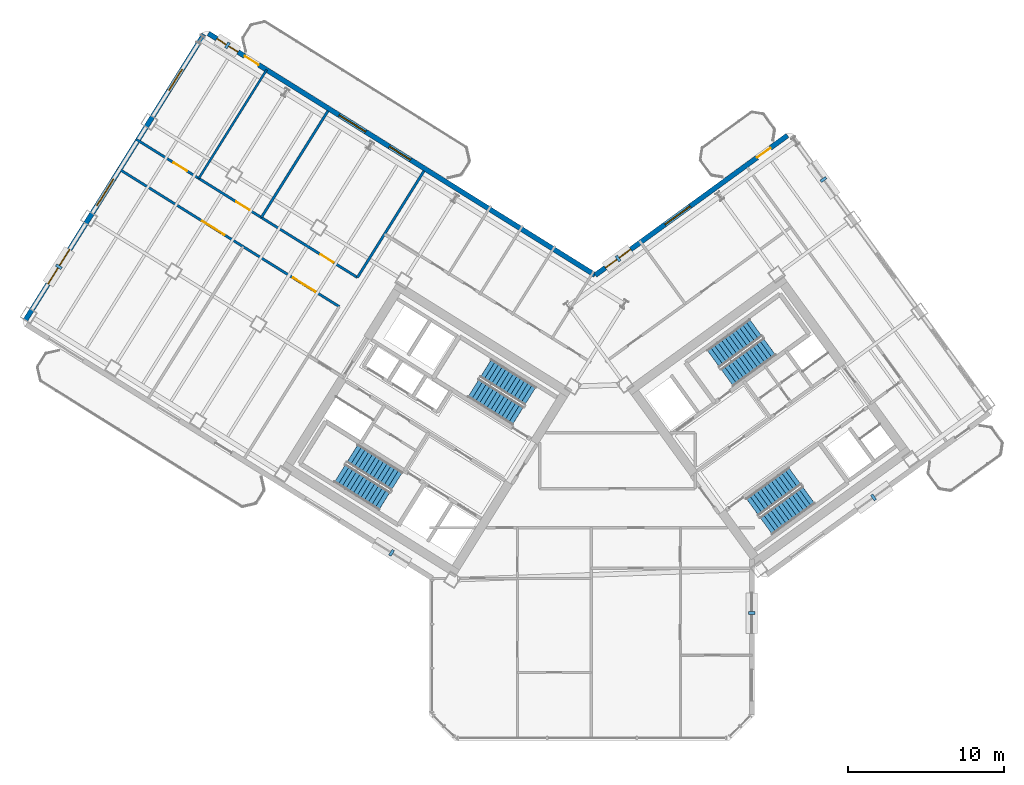
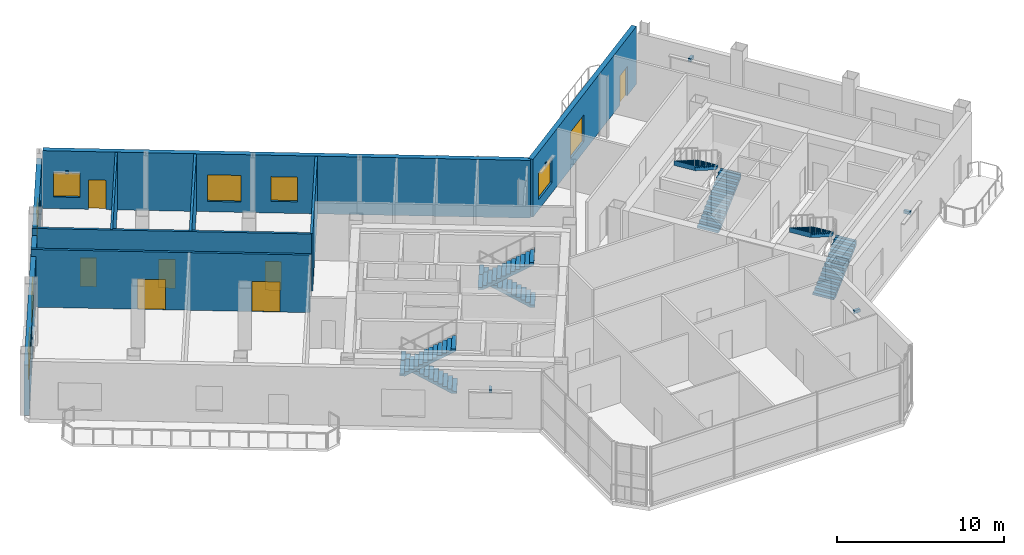
# One storey, part 15 of 20: 8 stair flights, 8 walls, 8 windows, 7 discrete accessories, 7 doors, 15 openings, 4 elements without a shape of their own.
"""IFC4 building model written with IfcOpenShell, lengths in metres."""

from ifc_helpers import new_model, si_unit, direction, frame, frame_2d, origin, origin_2d, place, context, subcontext, project, spatial, polyline, rectangle, outline, extrude, source, transform, mapped, material, layer, layer_set, type_object, element, fill, aggregate, save


model = new_model("IFC4")

# Units and contexts
model_context = context("Model", 3, precision=1e-05, world=origin(), true_north=direction((0.0, 1.0)))
body_context = subcontext(model_context, "Body", "Model", "MODEL_VIEW")
ifc_project = project(units=[si_unit("LENGTHUNIT", "METRE"), si_unit("AREAUNIT", "SQUARE_METRE"), si_unit("VOLUMEUNIT", "CUBIC_METRE"), si_unit("PLANEANGLEUNIT", "RADIAN"), si_unit("MASSUNIT", "GRAM", prefix="KILO")], contexts=[model_context])

# Site, building, storey
site_placement = place(None, origin())
site = spatial("IfcSite", under=ifc_project, at=site_placement, CompositionType="ELEMENT")
building_placement = place(site_placement, origin())
building = spatial("IfcBuilding", under=site, at=building_placement, Name="Tlacorven Tower", CompositionType="ELEMENT")
storey_placement = place(building_placement, frame((0.0, 0.0, 195.0)))
storey = spatial("IfcBuildingStorey", under=building, at=storey_placement, Name="L49", CompositionType="ELEMENT", Elevation=195.0)

# Wall
ifc_material_1 = material(Name="Gypsum plasterboard acoustic partition", Category="gypsum")
ifc_layer_1 = layer(ifc_material_1, 0.159912109375)
ifc_layer_set_1 = layer_set([ifc_layer_1], Name="Gypsum plasterboard acoustic partition")
wall_type_1 = type_object("IfcWallType", Name="WL-DEM-160", PredefinedType="PARTITIONING", material=ifc_layer_set_1)
wall_1_placement = place(storey_placement, frame((31.238525390625, 38.27392578125, 0.0), z_axis=(0.0, 0.0, 1.0), x_axis=(-0.529928058306, -0.848042600947, 0.0)))
element("IfcWall", 1, at=wall_1_placement, inside=storey, type_object=wall_type_1, Name="L49 partition 48", PredefinedType="PARTITIONING", context=body_context, shape_type="SweptSolid", body=[
    extrude(rectangle(XDim=8.0498046875, YDim=0.159912109375, at=frame_2d((4.02490234375, 0.0))), origin(), (0.0, 0.0, 1.0), 4.2099609375),
])

# Wall, openings, doors
wall_2_placement = place(storey_placement, frame((26.97265625, 31.447265625, 0.0), z_axis=(0.0, 0.0, 1.0), x_axis=(-0.848048310262, 0.529918921593, 0.0)))
wall_2 = element("IfcWall", 2, at=wall_2_placement, inside=storey, type_object=wall_type_1, Name="L49 Wing W Corridor South Wall", PredefinedType="PARTITIONING", context=body_context, shape_type="SweptSolid", body=[
    extrude(rectangle(XDim=16.72998046875, YDim=0.159912109375, at=frame_2d((8.364990234375, 0.0))), origin(), (0.0, 0.0, 1.0), 4.2099609375),
])
opening_1_placement = place(wall_2_placement, frame((1.800048828125, 0.0, 0.0)))
opening_1 = element("IfcOpeningElement", 3, at=opening_1_placement, cuts=wall_2, Name="Opening D11", PredefinedType="OPENING", context=body_context, shape_type="SweptSolid", body=[
    extrude(rectangle(XDim=1.0, YDim=2.10009765625, at=frame_2d((0.5, 1.050048828125))), frame((0.0, 0.08984375, 0.0), z_axis=(0.0, -1.0, 0.0), x_axis=(1.0, 0.0, 0.0)), (0.0, 0.0, 1.0), 0.179931640625),
])
opening_2_placement = place(wall_2_placement, frame((8.155029296875, 0.0, 0.0)))
opening_2 = element("IfcOpeningElement", 4, at=opening_2_placement, cuts=wall_2, Name="Opening D11", PredefinedType="OPENING", context=body_context, shape_type="SweptSolid", body=[
    extrude(rectangle(XDim=1.0, YDim=2.10009765625, at=frame_2d((0.5, 1.050048828125))), frame((0.0, 0.08984375, 0.0), z_axis=(0.0, -1.0, 0.0), x_axis=(1.0, 0.0, 0.0)), (0.0, 0.0, 1.0), 0.179931640625),
])
opening_3_placement = place(wall_2_placement, frame((12.882080078125, 0.0, 0.0)))
opening_3 = element("IfcOpeningElement", 5, at=opening_3_placement, cuts=wall_2, Name="Opening D11", PredefinedType="OPENING", context=body_context, shape_type="SweptSolid", body=[
    extrude(rectangle(XDim=1.0, YDim=2.10009765625, at=frame_2d((0.5, 1.050048828125))), frame((0.0, 0.08984375, 0.0), z_axis=(0.0, -1.0, 0.0), x_axis=(1.0, 0.0, 0.0)), (0.0, 0.0, 1.0), 0.179931640625),
])
ifc_material_2 = material(Name="Fire-rated steel door assembly", Category="steel")
door_type_1 = type_object("IfcDoorType", Name="DR-FLT-FD60-1000", OperationType="NOTDEFINED", PredefinedType="DOOR", material=ifc_material_2)
shared_shape_1 = source(origin(), body_context, "Body", "SweptSolid", [
    extrude(rectangle(XDim=1.0, YDim=2.10009765625, at=frame_2d((0.5, 1.050048828125))), frame((0.0, 0.02490234375, 0.0), z_axis=(0.0, -1.0, 0.0), x_axis=(1.0, 0.0, 0.0)), (0.0, 0.0, 1.0), 0.050048828125),
])
door_1_placement = place(opening_1_placement, frame((1.0, 0.0, 0.0), z_axis=(0.0, 0.0, 1.0), x_axis=(-1.0, 0.0, 0.0)))
door_1 = element("IfcDoor", 6, at=door_1_placement, inside=storey, type_object=door_type_1, Name="L49 door 027", OperationType="SINGLE_SWING_LEFT", OverallHeight=2.10009765625, OverallWidth=1.0, PredefinedType="DOOR", context=body_context, shape_type="MappedRepresentation", body=[
    mapped(shared_shape_1, transform((0.0, 0.0, 0.0), scale=1.0)),
])
fill(opening_1, door_1)
door_2_placement = place(opening_2_placement, frame((1.0, 0.0, 0.0), z_axis=(0.0, 0.0, 1.0), x_axis=(-1.0, 0.0, 0.0)))
door_2 = element("IfcDoor", 7, at=door_2_placement, inside=storey, type_object=door_type_1, Name="L49 door 028", OperationType="SINGLE_SWING_RIGHT", OverallHeight=2.10009765625, OverallWidth=1.0, PredefinedType="DOOR", context=body_context, shape_type="MappedRepresentation", body=[
    mapped(shared_shape_1, transform((0.0, 0.0, 0.0), scale=1.0)),
])
fill(opening_2, door_2)
door_3_placement = place(opening_3_placement, frame((1.0, 0.0, 0.0), z_axis=(0.0, 0.0, 1.0), x_axis=(-1.0, 0.0, 0.0)))
door_3 = element("IfcDoor", 8, at=door_3_placement, inside=storey, type_object=door_type_1, Name="L49 door 029", OperationType="SINGLE_SWING_LEFT", OverallHeight=2.10009765625, OverallWidth=1.0, PredefinedType="DOOR", context=body_context, shape_type="MappedRepresentation", body=[
    mapped(shared_shape_1, transform((0.0, 0.0, 0.0), scale=1.0)),
])
fill(opening_3, door_3)

wall_3_placement = place(storey_placement, frame((25.806884765625, 29.58154296875, 0.0), z_axis=(0.0, 0.0, 1.0), x_axis=(-0.848052408131, 0.529912363569, 0.0)))
wall_3 = element("IfcWall", 9, at=wall_3_placement, inside=storey, type_object=wall_type_1, Name="L49 Wing W Corridor North Wall", PredefinedType="PARTITIONING", context=body_context, shape_type="SweptSolid", body=[
    extrude(rectangle(XDim=16.72998046875, YDim=0.159912109375, at=frame_2d((8.364990234375, 0.0))), origin(), (0.0, 0.0, 1.0), 4.2099609375),
])
opening_4_placement = place(wall_3_placement, frame((1.800048828125, 0.0, 0.0)))
opening_4 = element("IfcOpeningElement", 10, at=opening_4_placement, cuts=wall_3, Name="Opening D17", PredefinedType="OPENING", context=body_context, shape_type="SweptSolid", body=[
    extrude(rectangle(XDim=1.699951171875, YDim=2.199951171875, at=frame_2d((0.85009765625, 1.10009765625))), frame((0.0, 0.08984375, 0.0), z_axis=(0.0, -1.0, 0.0), x_axis=(1.0, 0.0, 0.0)), (0.0, 0.0, 1.0), 0.179931640625),
])
opening_5_placement = place(wall_3_placement, frame((8.655029296875, 0.0, 0.0)))
opening_5 = element("IfcOpeningElement", 11, at=opening_5_placement, cuts=wall_3, Name="Opening D17", PredefinedType="OPENING", context=body_context, shape_type="SweptSolid", body=[
    extrude(rectangle(XDim=1.699951171875, YDim=2.199951171875, at=frame_2d((0.85009765625, 1.10009765625))), frame((0.0, 0.08984375, 0.0), z_axis=(0.0, -1.0, 0.0), x_axis=(1.0, 0.0, 0.0)), (0.0, 0.0, 1.0), 0.179931640625),
])
door_type_2 = type_object("IfcDoorType", Name="DR-COM-HALL-1700", OperationType="DOUBLE_DOOR_SINGLE_SWING", PredefinedType="DOOR", material=ifc_material_2)
shared_shape_2 = source(origin(), body_context, "Body", "SweptSolid", [
    extrude(rectangle(XDim=1.699951171875, YDim=2.199951171875, at=frame_2d((0.85009765625, 1.10009765625))), frame((0.0, 0.02490234375, 0.0), z_axis=(0.0, -1.0, 0.0), x_axis=(1.0, 0.0, 0.0)), (0.0, 0.0, 1.0), 0.050048828125),
])
door_4_placement = place(opening_4_placement, origin())
door_4 = element("IfcDoor", 12, at=door_4_placement, inside=storey, type_object=door_type_2, Name="L49 door 025", OperationType="DOUBLE_DOOR_SINGLE_SWING", OverallHeight=2.199951171875, OverallWidth=1.699951171875, PredefinedType="DOOR", context=body_context, shape_type="MappedRepresentation", body=[
    mapped(shared_shape_2, transform((0.0, 0.0, 0.0), scale=1.0)),
])
fill(opening_4, door_4)
door_5_placement = place(opening_5_placement, origin())
door_5 = element("IfcDoor", 13, at=door_5_placement, inside=storey, type_object=door_type_2, Name="L49 door 026", OperationType="DOUBLE_DOOR_SINGLE_SWING", OverallHeight=2.199951171875, OverallWidth=1.699951171875, PredefinedType="DOOR", context=body_context, shape_type="MappedRepresentation", body=[
    mapped(shared_shape_2, transform((0.0, 0.0, 0.0), scale=1.0)),
])
fill(opening_5, door_5)

# Wall
wall_4_placement = place(storey_placement, frame((25.0859375, 42.118408203125, 0.0), z_axis=(0.0, 0.0, 1.0), x_axis=(-0.529928058306, -0.848042600947, 0.0)))
element("IfcWall", 14, at=wall_4_placement, inside=storey, type_object=wall_type_1, Name="L49 partition 54", PredefinedType="PARTITIONING", context=body_context, shape_type="SweptSolid", body=[
    extrude(rectangle(XDim=8.0498046875, YDim=0.159912109375, at=frame_2d((4.02490234375, 0.0))), origin(), (0.0, 0.0, 1.0), 4.2099609375),
])

# Wall, openings, windows
ifc_material_3 = material(Name="Precast concrete C45/55", Category="concrete")
ifc_layer_2 = layer(ifc_material_3, 0.320068359375)
ifc_layer_set_2 = layer_set([ifc_layer_2], Name="Precast concrete C45/55")
wall_type_2 = type_object("IfcWallType", Name="WL-EXT-320", PredefinedType="STANDARD", material=ifc_layer_set_2)
wall_5_placement = place(storey_placement, frame((5.699951171875, 28.71044921875, 0.0), z_axis=(0.0, 0.0, 1.0), x_axis=(0.529923711467, 0.8480453172, 0.0)))
wall_5 = element("IfcWall", 15, at=wall_5_placement, inside=storey, type_object=wall_type_2, Name="L49 Masonry-Frame Recessed Facade Wall 2", PredefinedType="STANDARD", context=body_context, shape_type="SweptSolid", body=[
    extrude(rectangle(XDim=21.58740234375, YDim=0.320068359375, at=frame_2d((10.793701171875, 0.0))), origin(), (0.0, 0.0, 1.0), 3.695068359375),
])
opening_6_placement = place(wall_5_placement, frame((2.74365234375, 0.0, 0.699951171875)))
opening_6 = element("IfcOpeningElement", 16, at=opening_6_placement, cuts=wall_5, Name="Opening WN10", PredefinedType="OPENING", context=body_context, shape_type="SweptSolid", body=[
    extrude(rectangle(XDim=2.60009765625, YDim=2.0, at=frame_2d((1.300048828125, 1.0))), frame((0.0, 0.169921875, 0.0), z_axis=(0.0, -1.0, 0.0), x_axis=(1.0, 0.0, 0.0)), (0.0, 0.0, 1.0), 0.340087890625),
])
opening_7_placement = place(wall_5_placement, frame((8.65380859375, 0.0, 0.75)))
opening_7 = element("IfcOpeningElement", 17, at=opening_7_placement, cuts=wall_5, Name="Opening WN11", PredefinedType="OPENING", context=body_context, shape_type="SweptSolid", body=[
    extrude(rectangle(XDim=2.0, YDim=1.949951171875, at=frame_2d((1.0, 0.97509765625))), frame((0.0, 0.169921875, 0.0), z_axis=(0.0, -1.0, 0.0), x_axis=(1.0, 0.0, 0.0)), (0.0, 0.0, 1.0), 0.340087890625),
])
opening_8_placement = place(wall_5_placement, frame((17.356201171875, 0.0, 0.85009765625)))
opening_8 = element("IfcOpeningElement", 18, at=opening_8_placement, cuts=wall_5, Name="Opening WN12", PredefinedType="OPENING", context=body_context, shape_type="SweptSolid", body=[
    extrude(rectangle(XDim=1.60009765625, YDim=1.800048828125, at=frame_2d((0.800048828125, 0.89990234375))), frame((0.0, 0.169921875, 0.0), z_axis=(0.0, -1.0, 0.0), x_axis=(1.0, 0.0, 0.0)), (0.0, 0.0, 1.0), 0.340087890625),
])
ifc_material_4 = material(Name="Dark solar low-E double glazing in anodised aluminium frame", Category="aluminium")
window_type_1 = type_object("IfcWindowType", Name="WN-COM-2600X2200", PartitioningType="SINGLE_PANEL", PredefinedType="WINDOW", material=ifc_material_4)
shared_shape_3 = source(origin(), body_context, "Body", "SweptSolid", [
    extrude(rectangle(XDim=2.60009765625, YDim=2.0, at=frame_2d((1.300048828125, 1.0))), frame((0.0, 0.030029296875, 0.0), z_axis=(0.0, -1.0, 0.0), x_axis=(1.0, 0.0, 0.0)), (0.0, 0.0, 1.0), 0.06005859375),
])
window_1_placement = place(opening_6_placement, origin())
window_1 = element("IfcWindow", 19, at=window_1_placement, inside=storey, type_object=window_type_1, Name="L49 Recessed Masonry-Frame Window L49-02.1", OverallHeight=2.0, OverallWidth=2.60009765625, PartitioningType="SINGLE_PANEL", PredefinedType="WINDOW", context=body_context, shape_type="MappedRepresentation", body=[
    mapped(shared_shape_3, transform((0.0, 0.0, 0.0), scale=1.0)),
])
fill(opening_6, window_1)
window_type_2 = type_object("IfcWindowType", Name="WN-COM-1600X1900", PartitioningType="SINGLE_PANEL", PredefinedType="WINDOW", material=ifc_material_4)
shared_shape_4 = source(origin(), body_context, "Body", "SweptSolid", [
    extrude(rectangle(XDim=1.60009765625, YDim=1.800048828125, at=frame_2d((0.800048828125, 0.89990234375))), frame((0.0, 0.030029296875, 0.0), z_axis=(0.0, -1.0, 0.0), x_axis=(1.0, 0.0, 0.0)), (0.0, 0.0, 1.0), 0.06005859375),
])
window_2_placement = place(opening_8_placement, origin())
window_2 = element("IfcWindow", 20, at=window_2_placement, inside=storey, type_object=window_type_2, Name="L49 Recessed Masonry-Frame Window L49-02.3", OverallHeight=1.800048828125, OverallWidth=1.60009765625, PartitioningType="SINGLE_PANEL", PredefinedType="WINDOW", context=body_context, shape_type="MappedRepresentation", body=[
    mapped(shared_shape_4, transform((0.0, 0.0, 0.0), scale=1.0)),
])
fill(opening_8, window_2)
window_type_3 = type_object("IfcWindowType", Name="WN-COM-2000X2100", PartitioningType="SINGLE_PANEL", PredefinedType="WINDOW", material=ifc_material_4)
shared_shape_5 = source(origin(), body_context, "Body", "SweptSolid", [
    extrude(rectangle(XDim=2.0, YDim=1.949951171875, at=frame_2d((1.0, 0.97509765625))), frame((0.0, 0.030029296875, 0.0), z_axis=(0.0, -1.0, 0.0), x_axis=(1.0, 0.0, 0.0)), (0.0, 0.0, 1.0), 0.06005859375),
])
window_3_placement = place(opening_7_placement, origin())
window_3 = element("IfcWindow", 21, at=window_3_placement, inside=storey, type_object=window_type_3, Name="L49 Recessed Masonry-Frame Window L49-02.2", OverallHeight=1.949951171875, OverallWidth=2.0, PartitioningType="SINGLE_PANEL", PredefinedType="WINDOW", context=body_context, shape_type="MappedRepresentation", body=[
    mapped(shared_shape_5, transform((0.0, 0.0, 0.0), scale=1.0)),
])
fill(opening_7, window_3)

# Wall, openings, door, windows
wall_6_placement = place(storey_placement, frame((17.423828125, 47.083251953125, 0.0), z_axis=(0.0, 0.0, 1.0), x_axis=(0.848049927979, -0.529916332693, 0.0)))
wall_6 = element("IfcWall", 22, at=wall_6_placement, inside=storey, type_object=wall_type_2, Name="L49 Masonry-Frame Recessed Facade Wall 3", PredefinedType="STANDARD", context=body_context, shape_type="SweptSolid", body=[
    extrude(rectangle(XDim=29.22314453125, YDim=0.320068359375, at=frame_2d((14.611572265625, 0.0))), origin(), (0.0, 0.0, 1.0), 4.219970703125),
])
opening_9_placement = place(wall_6_placement, frame((2.751708984375, 0.0, 0.0)))
opening_9 = element("IfcOpeningElement", 23, at=opening_9_placement, cuts=wall_6, Name="Opening D06", PredefinedType="OPENING", context=body_context, shape_type="SweptSolid", body=[
    extrude(rectangle(XDim=1.050048828125, YDim=2.14990234375, at=frame_2d((0.52490234375, 1.074951171875))), frame((0.0, 0.169921875, 0.0), z_axis=(0.0, -1.0, 0.0), x_axis=(1.0, 0.0, 0.0)), (0.0, 0.0, 1.0), 0.340087890625),
])
opening_10_placement = place(wall_6_placement, frame((0.640869140625, 0.0, 0.85009765625)))
opening_10 = element("IfcOpeningElement", 24, at=opening_10_placement, cuts=wall_6, Name="Opening WN12", PredefinedType="OPENING", context=body_context, shape_type="SweptSolid", body=[
    extrude(rectangle(XDim=1.60009765625, YDim=1.800048828125, at=frame_2d((0.800048828125, 0.89990234375))), frame((0.0, 0.169921875, 0.0), z_axis=(0.0, -1.0, 0.0), x_axis=(1.0, 0.0, 0.0)), (0.0, 0.0, 1.0), 0.340087890625),
])
opening_11_placement = place(wall_6_placement, frame((9.876220703125, 0.0, 0.75)))
opening_11 = element("IfcOpeningElement", 25, at=opening_11_placement, cuts=wall_6, Name="Opening WN11", PredefinedType="OPENING", context=body_context, shape_type="SweptSolid", body=[
    extrude(rectangle(XDim=2.0, YDim=1.949951171875, at=frame_2d((1.0, 0.97509765625))), frame((0.0, 0.169921875, 0.0), z_axis=(0.0, -1.0, 0.0), x_axis=(1.0, 0.0, 0.0)), (0.0, 0.0, 1.0), 0.340087890625),
])
opening_12_placement = place(wall_6_placement, frame((13.673583984375, 0.0, 0.85009765625)))
opening_12 = element("IfcOpeningElement", 26, at=opening_12_placement, cuts=wall_6, Name="Opening WN12", PredefinedType="OPENING", context=body_context, shape_type="SweptSolid", body=[
    extrude(rectangle(XDim=1.60009765625, YDim=1.800048828125, at=frame_2d((0.800048828125, 0.89990234375))), frame((0.0, 0.169921875, 0.0), z_axis=(0.0, -1.0, 0.0), x_axis=(1.0, 0.0, 0.0)), (0.0, 0.0, 1.0), 0.340087890625),
])
ifc_material_5 = material(Name="Powder-coated aluminium and timber door", Category="wood")
door_type_3 = type_object("IfcDoorType", Name="DR-EXT-BALC-1050", OperationType="NOTDEFINED", PredefinedType="DOOR", material=ifc_material_5)
shared_shape_6 = source(origin(), body_context, "Body", "SweptSolid", [
    extrude(rectangle(XDim=1.050048828125, YDim=2.14990234375, at=frame_2d((0.52490234375, 1.074951171875))), frame((0.0, 0.02490234375, 0.0), z_axis=(0.0, -1.0, 0.0), x_axis=(1.0, 0.0, 0.0)), (0.0, 0.0, 1.0), 0.050048828125),
])
door_6_placement = place(opening_9_placement, origin())
door_6 = element("IfcDoor", 27, at=door_6_placement, inside=storey, type_object=door_type_3, Name="L49 Outdoor Access Door BAL-L49-W-IN", OperationType="SINGLE_SWING_RIGHT", OverallHeight=2.14990234375, OverallWidth=1.050048828125, PredefinedType="DOOR", context=body_context, shape_type="MappedRepresentation", body=[
    mapped(shared_shape_6, transform((0.0, 0.0, 0.0), scale=1.0)),
])
fill(opening_9, door_6)
window_4_placement = place(opening_10_placement, origin())
window_4 = element("IfcWindow", 28, at=window_4_placement, inside=storey, type_object=window_type_2, Name="L49 Recessed Masonry-Frame Window L49-03.1", OverallHeight=1.800048828125, OverallWidth=1.60009765625, PartitioningType="SINGLE_PANEL", PredefinedType="WINDOW", context=body_context, shape_type="MappedRepresentation", body=[
    mapped(shared_shape_4, transform((0.0, 0.0, 0.0), scale=1.0)),
])
fill(opening_10, window_4)
window_5_placement = place(opening_12_placement, origin())
window_5 = element("IfcWindow", 29, at=window_5_placement, inside=storey, type_object=window_type_2, Name="L49 Recessed Masonry-Frame Window L49-03.3", OverallHeight=1.800048828125, OverallWidth=1.60009765625, PartitioningType="SINGLE_PANEL", PredefinedType="WINDOW", context=body_context, shape_type="MappedRepresentation", body=[
    mapped(shared_shape_4, transform((0.0, 0.0, 0.0), scale=1.0)),
])
fill(opening_12, window_5)
window_6_placement = place(opening_11_placement, origin())
window_6 = element("IfcWindow", 30, at=window_6_placement, inside=storey, type_object=window_type_3, Name="L49 Recessed Masonry-Frame Window L49-03.2", OverallHeight=1.949951171875, OverallWidth=2.0, PartitioningType="SINGLE_PANEL", PredefinedType="WINDOW", context=body_context, shape_type="MappedRepresentation", body=[
    mapped(shared_shape_5, transform((0.0, 0.0, 0.0), scale=1.0)),
])
fill(opening_11, window_6)

wall_7_placement = place(storey_placement, frame((42.20654296875, 31.597412109375, 0.0), z_axis=(0.0, 0.0, 1.0), x_axis=(0.809020333377, 0.587780656523, 0.0)))
wall_7 = element("IfcWall", 31, at=wall_7_placement, inside=storey, type_object=wall_type_2, Name="L49 Masonry-Frame Recessed Facade Wall 4", PredefinedType="STANDARD", context=body_context, shape_type="SweptSolid", body=[
    extrude(rectangle(XDim=15.222900390625, YDim=0.320068359375, at=frame_2d((7.611328125, 0.0))), origin(), (0.0, 0.0, 1.0), 4.219970703125),
])
opening_13_placement = place(wall_7_placement, frame((12.81982421875, 0.0, 0.0)))
opening_13 = element("IfcOpeningElement", 32, at=opening_13_placement, cuts=wall_7, Name="Opening D06", PredefinedType="OPENING", context=body_context, shape_type="SweptSolid", body=[
    extrude(rectangle(XDim=1.050048828125, YDim=2.14990234375, at=frame_2d((0.52490234375, 1.074951171875))), frame((0.0, 0.169921875, 0.0), z_axis=(0.0, -1.0, 0.0), x_axis=(1.0, 0.0, 0.0)), (0.0, 0.0, 1.0), 0.340087890625),
])
opening_14_placement = place(wall_7_placement, frame((0.81005859375, 0.0, 0.75)))
opening_14 = element("IfcOpeningElement", 33, at=opening_14_placement, cuts=wall_7, Name="Opening WN11", PredefinedType="OPENING", context=body_context, shape_type="SweptSolid", body=[
    extrude(rectangle(XDim=2.0, YDim=1.949951171875, at=frame_2d((1.0, 0.97509765625))), frame((0.0, 0.169921875, 0.0), z_axis=(0.0, -1.0, 0.0), x_axis=(1.0, 0.0, 0.0)), (0.0, 0.0, 1.0), 0.340087890625),
])
opening_15_placement = place(wall_7_placement, frame((5.5244140625, 0.0, 0.75)))
opening_15 = element("IfcOpeningElement", 34, at=opening_15_placement, cuts=wall_7, Name="Opening WN11", PredefinedType="OPENING", context=body_context, shape_type="SweptSolid", body=[
    extrude(rectangle(XDim=2.0, YDim=1.949951171875, at=frame_2d((1.0, 0.97509765625))), frame((0.0, 0.169921875, 0.0), z_axis=(0.0, -1.0, 0.0), x_axis=(1.0, 0.0, 0.0)), (0.0, 0.0, 1.0), 0.340087890625),
])
door_7_placement = place(opening_13_placement, origin())
door_7 = element("IfcDoor", 35, at=door_7_placement, inside=storey, type_object=door_type_3, Name="L49 Outdoor Access Door BAL-L49-E-IN", OperationType="SINGLE_SWING_RIGHT", OverallHeight=2.14990234375, OverallWidth=1.050048828125, PredefinedType="DOOR", context=body_context, shape_type="MappedRepresentation", body=[
    mapped(shared_shape_6, transform((0.0, 0.0, 0.0), scale=1.0)),
])
fill(opening_13, door_7)
window_7_placement = place(opening_14_placement, origin())
window_7 = element("IfcWindow", 36, at=window_7_placement, inside=storey, type_object=window_type_3, Name="L49 Recessed Masonry-Frame Window L49-04.1", OverallHeight=1.949951171875, OverallWidth=2.0, PartitioningType="SINGLE_PANEL", PredefinedType="WINDOW", context=body_context, shape_type="MappedRepresentation", body=[
    mapped(shared_shape_5, transform((0.0, 0.0, 0.0), scale=1.0)),
])
fill(opening_14, window_7)
window_8_placement = place(opening_15_placement, origin())
window_8 = element("IfcWindow", 37, at=window_8_placement, inside=storey, type_object=window_type_3, Name="L49 Recessed Masonry-Frame Window L49-04.2", OverallHeight=1.949951171875, OverallWidth=2.0, PartitioningType="SINGLE_PANEL", PredefinedType="WINDOW", context=body_context, shape_type="MappedRepresentation", body=[
    mapped(shared_shape_5, transform((0.0, 0.0, 0.0), scale=1.0)),
])
fill(opening_15, window_8)

# Wall
ifc_material_6 = material(Name="Moisture-resistant gypsum plumbing wall", Category="gypsum")
ifc_layer_3 = layer(ifc_material_6, 0.139892578125)
ifc_layer_set_3 = layer_set([ifc_layer_3], Name="Moisture-resistant gypsum plumbing wall")
wall_type_3 = type_object("IfcWallType", Name="WL-PLM-140", PredefinedType="PLUMBINGWALL", material=ifc_layer_set_3)
wall_8_placement = place(storey_placement, frame((21.15673828125, 44.750732421875, 0.0), z_axis=(0.0, 0.0, 1.0), x_axis=(-0.529924004437, -0.84804513413, 0.0)))
element("IfcWall", 38, at=wall_8_placement, inside=storey, type_object=wall_type_3, Name="L49 partition 55", PredefinedType="PLUMBINGWALL", context=body_context, shape_type="SweptSolid", body=[
    extrude(rectangle(XDim=8.2001953125, YDim=0.139892578125, at=frame_2d((4.10009765625, 0.0))), origin(), (0.0, 0.0, 1.0), 4.2099609375),
])

# Stair, stair flights
ifc_material_7 = material(Name="Concrete C40/50", Category="concrete")
stair_type = type_object("IfcStairType", Name="ST-CORE-DLG", PredefinedType="HALF_TURN_STAIR", material=ifc_material_7)
stair_1_placement = place(storey_placement, origin())
stair_1 = element("IfcStair", 39, at=stair_1_placement, inside=storey, type_object=stair_type, Name="L49 Protected Exit Stair West 1", PredefinedType="HALF_TURN_STAIR")
stair_flight_type = type_object("IfcStairFlightType", Name="SFL-RC-1380", PredefinedType="STRAIGHT", material=ifc_material_7)
shared_shape_7 = source(origin(), body_context, "Body", "SweptSolid", [
    extrude(outline(polyline([(-0.0029296875, -0.0029296875), (-0.0029296875, 0.173095703125), (0.280029296875, 0.173095703125), (0.280029296875, 0.34619140625), (0.56005859375, 0.34619140625), (0.56005859375, 0.519287109375), (0.840087890625, 0.519287109375), (0.840087890625, 0.6923828125), (1.1201171875, 0.6923828125), (1.1201171875, 0.865478515625), (1.39990234375, 0.865478515625), (1.39990234375, 1.03857421875), (1.679931640625, 1.03857421875), (1.679931640625, 1.21142578125), (1.9599609375, 1.21142578125), (1.9599609375, 1.384521484375), (2.239990234375, 1.384521484375), (2.239990234375, 1.5576171875), (2.52001953125, 1.5576171875), (2.52001953125, 1.730712890625), (2.800048828125, 1.730712890625), (2.800048828125, 1.90380859375), (3.080078125, 1.90380859375), (3.080078125, 2.076904296875), (3.360107421875, 2.076904296875), (3.360107421875, 2.25), (3.363037109375, 2.25), (3.363037109375, 1.888916015625), (3.360107421875, 1.888916015625), (0.30419921875, 0.0), (0.30419921875, -0.0029296875), (-0.0029296875, -0.0029296875)])), frame((0.0, 0.68994140625, 0.0), z_axis=(0.0, -1.0, 0.0), x_axis=(1.0, 0.0, 0.0)), (0.0, 0.0, 1.0), 1.3798828125),
])
stair_flight_1_placement = place(storey_placement, frame((29.499755859375, 18.39453125, 0.0), z_axis=(0.0, 0.0, 1.0), x_axis=(-0.848048096156, 0.529919264233, 0.0)))
stair_flight_1 = element("IfcStairFlight", 40, at=stair_flight_1_placement, type_object=stair_flight_type, Name="ST-W1 flight 1", NumberOfRisers=13, NumberOfTreads=12, PredefinedType="STRAIGHT", RiserHeight=0.173076923, TreadLength=0.28, context=body_context, shape_type="MappedRepresentation", body=[
    mapped(shared_shape_7, transform((0.0, 0.0, 0.0), scale=1.0)),
])
stair_flight_2_placement = place(storey_placement, frame((25.85546875, 18.903076171875, 2.25), z_axis=(0.0, 0.0, 1.0), x_axis=(0.848048096156, -0.529919264233, 0.0)))
stair_flight_2 = element("IfcStairFlight", 41, at=stair_flight_2_placement, type_object=stair_flight_type, Name="ST-W1 flight 2", NumberOfRisers=13, NumberOfTreads=12, PredefinedType="STRAIGHT", RiserHeight=0.173076923, TreadLength=0.28, context=body_context, shape_type="MappedRepresentation", body=[
    mapped(shared_shape_7, transform((0.0, 0.0, 0.0), scale=1.0)),
])
aggregate(stair_1, [stair_flight_1, stair_flight_2])

stair_2_placement = place(storey_placement, origin())
stair_2 = element("IfcStair", 42, at=stair_2_placement, inside=storey, type_object=stair_type, Name="L49 Protected Exit Stair West 2", PredefinedType="HALF_TURN_STAIR")
stair_flight_3_placement = place(storey_placement, frame((38.051513671875, 23.852294921875, 0.0), z_axis=(0.0, 0.0, 1.0), x_axis=(-0.848048096156, 0.529919264233, 0.0)))
stair_flight_3 = element("IfcStairFlight", 43, at=stair_flight_3_placement, type_object=stair_flight_type, Name="ST-W2 flight 1", NumberOfRisers=13, NumberOfTreads=12, PredefinedType="STRAIGHT", RiserHeight=0.173076923, TreadLength=0.28, context=body_context, shape_type="MappedRepresentation", body=[
    mapped(shared_shape_7, transform((0.0, 0.0, 0.0), scale=1.0)),
])
stair_flight_4_placement = place(storey_placement, frame((34.406982421875, 24.36083984375, 2.25), z_axis=(0.0, 0.0, 1.0), x_axis=(0.848048096156, -0.529919264233, 0.0)))
stair_flight_4 = element("IfcStairFlight", 44, at=stair_flight_4_placement, type_object=stair_flight_type, Name="ST-W2 flight 2", NumberOfRisers=13, NumberOfTreads=12, PredefinedType="STRAIGHT", RiserHeight=0.173076923, TreadLength=0.28, context=body_context, shape_type="MappedRepresentation", body=[
    mapped(shared_shape_7, transform((0.0, 0.0, 0.0), scale=1.0)),
])
aggregate(stair_2, [stair_flight_3, stair_flight_4])

stair_3_placement = place(storey_placement, origin())
stair_3 = element("IfcStair", 45, at=stair_3_placement, inside=storey, type_object=stair_type, Name="L49 Protected Exit Stair East 1", PredefinedType="HALF_TURN_STAIR")
stair_flight_5_placement = place(storey_placement, frame((50.6533203125, 25.0400390625, 0.0), z_axis=(0.0, 0.0, 1.0), x_axis=(0.809016994375, 0.587785252292, 0.0)))
stair_flight_5 = element("IfcStairFlight", 46, at=stair_flight_5_placement, type_object=stair_flight_type, Name="ST-E1 flight 1", NumberOfRisers=13, NumberOfTreads=12, PredefinedType="STRAIGHT", RiserHeight=0.173076923, TreadLength=0.28, context=body_context, shape_type="MappedRepresentation", body=[
    mapped(shared_shape_7, transform((0.0, 0.0, 0.0), scale=1.0)),
])
stair_flight_6_placement = place(storey_placement, frame((52.489990234375, 28.228515625, 2.25), z_axis=(0.0, 0.0, 1.0), x_axis=(-0.809016994375, -0.587785252292, 0.0)))
stair_flight_6 = element("IfcStairFlight", 47, at=stair_flight_6_placement, type_object=stair_flight_type, Name="ST-E1 flight 2", NumberOfRisers=13, NumberOfTreads=12, PredefinedType="STRAIGHT", RiserHeight=0.173076923, TreadLength=0.28, context=body_context, shape_type="MappedRepresentation", body=[
    mapped(shared_shape_7, transform((0.0, 0.0, 0.0), scale=1.0)),
])
aggregate(stair_3, [stair_flight_5, stair_flight_6])

stair_4_placement = place(storey_placement, origin())
stair_4 = element("IfcStair", 48, at=stair_4_placement, inside=storey, type_object=stair_type, Name="L49 Protected Exit Stair East 2", PredefinedType="HALF_TURN_STAIR")
stair_flight_7_placement = place(storey_placement, frame((53.157470703125, 15.536865234375, 0.0), z_axis=(0.0, 0.0, 1.0), x_axis=(0.809016994375, 0.587785252292, 0.0)))
stair_flight_7 = element("IfcStairFlight", 49, at=stair_flight_7_placement, type_object=stair_flight_type, Name="ST-E2 flight 1", NumberOfRisers=13, NumberOfTreads=12, PredefinedType="STRAIGHT", RiserHeight=0.173076923, TreadLength=0.28, context=body_context, shape_type="MappedRepresentation", body=[
    mapped(shared_shape_7, transform((0.0, 0.0, 0.0), scale=1.0)),
])
stair_flight_8_placement = place(storey_placement, frame((54.994140625, 18.725341796875, 2.25), z_axis=(0.0, 0.0, 1.0), x_axis=(-0.809016994375, -0.587785252292, 0.0)))
stair_flight_8 = element("IfcStairFlight", 50, at=stair_flight_8_placement, type_object=stair_flight_type, Name="ST-E2 flight 2", NumberOfRisers=13, NumberOfTreads=12, PredefinedType="STRAIGHT", RiserHeight=0.173076923, TreadLength=0.28, context=body_context, shape_type="MappedRepresentation", body=[
    mapped(shared_shape_7, transform((0.0, 0.0, 0.0), scale=1.0)),
])
aggregate(stair_4, [stair_flight_7, stair_flight_8])

# Discrete accessories
ifc_material_8 = material(Name="Steel S355J2", Category="steel")
discrete_accessory_type = type_object("IfcDiscreteAccessoryType", Name="ACC-BRK-01", PredefinedType="BRACKET", material=ifc_material_8)
shared_shape_8 = source(origin(), body_context, "Body", "SweptSolid", [
    extrude(rectangle(XDim=0.179931640625, YDim=0.419921875, at=origin_2d()), origin(), (0.0, 0.0, 1.0), 0.219970703125),
])
for number, where, z_axis, x_axis, name in (
    (51, (29.1611328125, 13.80712890625, 2.6298828125), (0.0, 0.0, 1.0), (-0.848048152806, 0.529919173576, 0.0), "L49 Sunshade Bracket L49-01.1"),
    (52, (7.8427734375, 32.1396484375, 2.6298828125), (0.0, 0.0, 1.0), (0.529919147866, 0.848048168871, 0.0), "L49 Sunshade Bracket L49-02.1"),
    (53, (18.645751953125, 46.319580078125, 2.580078125), (0.0, 0.0, 1.0), (0.848048220257, -0.52991906563, 0.0), "L49 Sunshade Bracket L49-03.1"),
    (54, (43.6708984375, 32.661376953125, 2.6298828125), (0.0, 0.0, 1.0), (0.809016703631, 0.587785652468, 0.0), "L49 Sunshade Bracket L49-04.1"),
    (55, (56.8271484375, 37.7236328125, 2.6298828125), (0.0, 0.0, 1.0), (0.587785363163, -0.809016913823, 0.0), "L49 Sunshade Bracket L49-05.1"),
    (56, (60.035888671875, 17.357666015625, 2.6298828125), (0.0, 0.0, 1.0), (-0.809016829126, -0.587785479738, 0.0), "L49 Sunshade Bracket L49-06.1"),
    (57, (52.239990234375, 9.946533203125, 2.6298828125), (0.0, 0.0, 1.0), (0.0, -1.0, 0.0), "L49 Sunshade Bracket L49-07.1"),
):
    element("IfcDiscreteAccessory", number, at=place(storey_placement, frame(where, z_axis=z_axis, x_axis=x_axis)), inside=storey, type_object=discrete_accessory_type, Name=name, PredefinedType="BRACKET", context=body_context, shape_type="MappedRepresentation", body=[
        mapped(shared_shape_8, transform((0.0, 0.0, 0.0), scale=1.0)),
    ])

save(model, "model.ifc")
